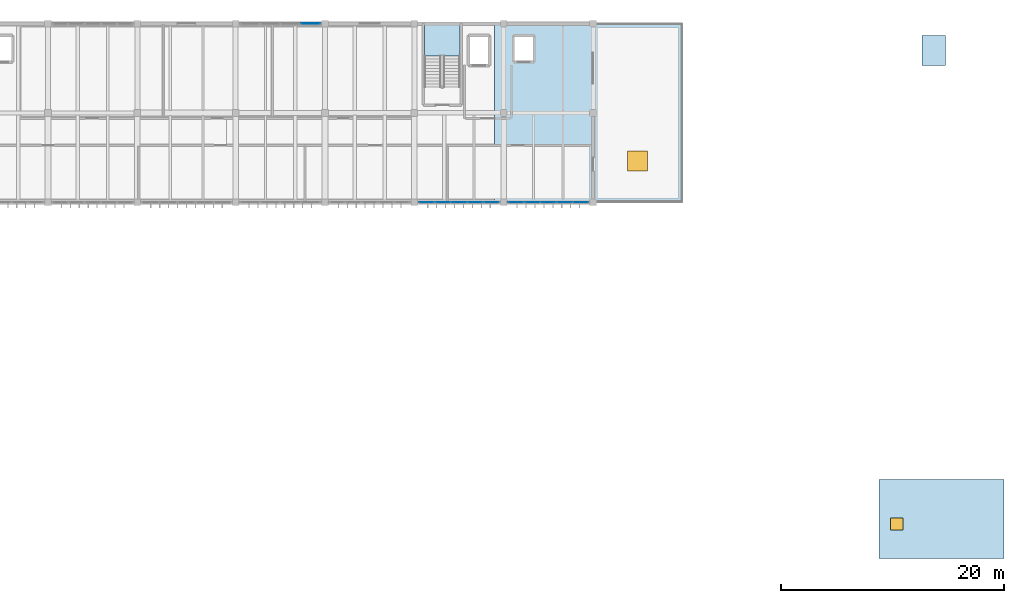
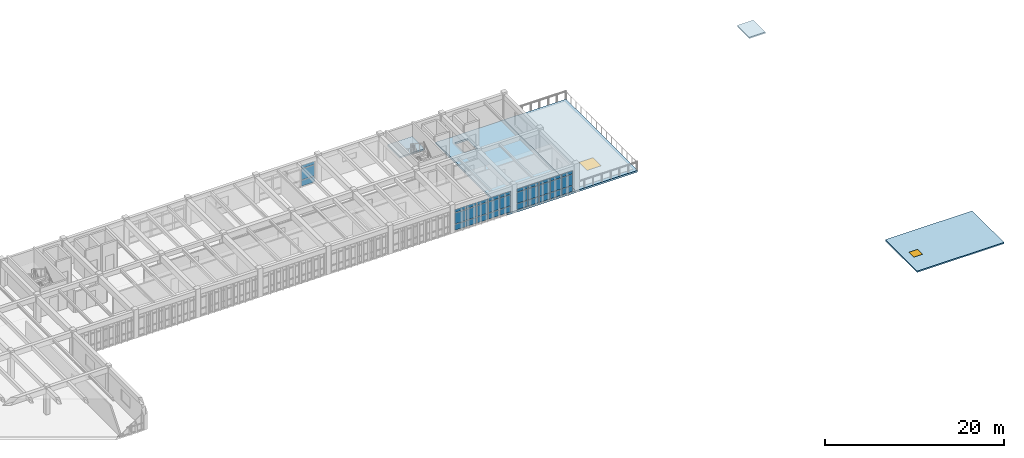
"""IFC4 building model written with IfcOpenShell, lengths in metres."""

from ifc_helpers import new_model, si_unit, direction, frame, origin, origin_2d, place, context, subcontext, project, spatial, polyline, rectangle, outline, extrude, material, layer, layer_set, type_object, element, fill, aggregate, save


model = new_model("IFC4")

# Units and contexts
model_context = context("Model", 3, precision=1e-05, world=origin(), true_north=direction((0.0, 1.0)))
body_context = subcontext(model_context, "Body", "Model", "MODEL_VIEW")
ifc_project = project(units=[si_unit("LENGTHUNIT", "METRE"), si_unit("AREAUNIT", "SQUARE_METRE"), si_unit("VOLUMEUNIT", "CUBIC_METRE"), si_unit("PLANEANGLEUNIT", "RADIAN"), si_unit("MASSUNIT", "GRAM", prefix="KILO")], contexts=[model_context])

# Site, building, storey
site_placement = place(None, origin())
site = spatial("IfcSite", under=ifc_project, at=site_placement, CompositionType="ELEMENT")
building_placement = place(site_placement, origin())
building = spatial("IfcBuilding", under=site, at=building_placement, Name="Tlaxcora Railside Police Headquarters", CompositionType="ELEMENT")
storey_1_placement = place(building_placement, frame((0.0, 0.0, 21.89990234375)))
storey_1 = spatial("IfcBuildingStorey", under=building, at=storey_1_placement, Name="L05", CompositionType="ELEMENT", Elevation=21.89990234375)

# Curtain wall, plates
ifc_material_1 = material(Name="Thermally broken low-E insulated glazing", Category="glass")
curtain_wall_type_1 = type_object("IfcCurtainWallType", Name="Unitised Curtain Wall Assembly CW-15", PredefinedType="NOTDEFINED", material=ifc_material_1)
curtain_wall_1_placement = place(storey_1_placement, origin())
curtain_wall_1 = element("IfcCurtainWall", 1, at=curtain_wall_1_placement, inside=storey_1, type_object=curtain_wall_type_1, Name="V5 L05 curtain wall 114", PredefinedType="NOTDEFINED")
ifc_layer_1 = layer(ifc_material_1, 0.031982421875, Name="Thermally broken low-E insulated glazing")
ifc_layer_set_1 = layer_set([ifc_layer_1], Name="Thermally broken low-E insulated glazing")
plate_type_1 = type_object("IfcPlateType", Name="Curtain Wall Infill Panel CW-41", PredefinedType="CURTAIN_PANEL", material=ifc_layer_set_1)
plate_1_placement = place(storey_1_placement, frame((79.0986328125, 76.800048828125, 0.074951171875), z_axis=(0.0, 0.0, 1.0), x_axis=(1.0, 0.0, 0.0)))
plate_1 = element("IfcPlate", 2, at=plate_1_placement, type_object=plate_type_1, Name="CW panel 1.1", PredefinedType="CURTAIN_PANEL", context=body_context, shape_type="SweptSolid", body=[
    extrude(rectangle(XDim=1.347412109375, YDim=0.031982421875, at=origin_2d()), origin(), (0.0, 0.0, 1.0), 0.78759765625),
])
plate_2_placement = place(storey_1_placement, frame((79.0986328125, 76.800048828125, 0.9375), z_axis=(0.0, 0.0, 1.0), x_axis=(1.0, 0.0, 0.0)))
plate_2 = element("IfcPlate", 3, at=plate_2_placement, type_object=plate_type_1, Name="CW panel 1.2", PredefinedType="CURTAIN_PANEL", context=body_context, shape_type="SweptSolid", body=[
    extrude(rectangle(XDim=1.347412109375, YDim=0.031982421875, at=origin_2d()), origin(), (0.0, 0.0, 1.0), 1.47509765625),
])
plate_3_placement = place(storey_1_placement, frame((79.0986328125, 76.800048828125, 2.487548828125), z_axis=(0.0, 0.0, 1.0), x_axis=(1.0, 0.0, 0.0)))
plate_3 = element("IfcPlate", 4, at=plate_3_placement, type_object=plate_type_1, Name="CW panel 1.3", PredefinedType="CURTAIN_PANEL", context=body_context, shape_type="SweptSolid", body=[
    extrude(rectangle(XDim=1.347412109375, YDim=0.031982421875, at=origin_2d()), origin(), (0.0, 0.0, 1.0), 0.41748046875),
])
plate_4_placement = place(storey_1_placement, frame((80.5400390625, 76.800048828125, 0.074951171875), z_axis=(0.0, 0.0, 1.0), x_axis=(1.0, 0.0, 0.0)))
plate_4 = element("IfcPlate", 5, at=plate_4_placement, type_object=plate_type_1, Name="CW panel 2.1", PredefinedType="CURTAIN_PANEL", context=body_context, shape_type="SweptSolid", body=[
    extrude(rectangle(XDim=1.385009765625, YDim=0.031982421875, at=origin_2d()), origin(), (0.0, 0.0, 1.0), 0.78759765625),
])
plate_5_placement = place(storey_1_placement, frame((80.5400390625, 76.800048828125, 0.9375), z_axis=(0.0, 0.0, 1.0), x_axis=(1.0, 0.0, 0.0)))
plate_5 = element("IfcPlate", 6, at=plate_5_placement, type_object=plate_type_1, Name="CW panel 2.2", PredefinedType="CURTAIN_PANEL", context=body_context, shape_type="SweptSolid", body=[
    extrude(rectangle(XDim=1.385009765625, YDim=0.031982421875, at=origin_2d()), origin(), (0.0, 0.0, 1.0), 1.47509765625),
])
plate_6_placement = place(storey_1_placement, frame((80.5400390625, 76.800048828125, 2.487548828125), z_axis=(0.0, 0.0, 1.0), x_axis=(1.0, 0.0, 0.0)))
plate_6 = element("IfcPlate", 7, at=plate_6_placement, type_object=plate_type_1, Name="CW panel 2.3", PredefinedType="CURTAIN_PANEL", context=body_context, shape_type="SweptSolid", body=[
    extrude(rectangle(XDim=1.385009765625, YDim=0.031982421875, at=origin_2d()), origin(), (0.0, 0.0, 1.0), 0.41748046875),
])
plate_7_placement = place(storey_1_placement, frame((82.0, 76.800048828125, 0.074951171875), z_axis=(0.0, 0.0, 1.0), x_axis=(1.0, 0.0, 0.0)))
plate_7 = element("IfcPlate", 8, at=plate_7_placement, type_object=plate_type_1, Name="CW panel 3.1", PredefinedType="CURTAIN_PANEL", context=body_context, shape_type="SweptSolid", body=[
    extrude(rectangle(XDim=1.385009765625, YDim=0.031982421875, at=origin_2d()), origin(), (0.0, 0.0, 1.0), 0.78759765625),
])
plate_8_placement = place(storey_1_placement, frame((82.0, 76.800048828125, 0.9375), z_axis=(0.0, 0.0, 1.0), x_axis=(1.0, 0.0, 0.0)))
plate_8 = element("IfcPlate", 9, at=plate_8_placement, type_object=plate_type_1, Name="CW panel 3.2", PredefinedType="CURTAIN_PANEL", context=body_context, shape_type="SweptSolid", body=[
    extrude(rectangle(XDim=1.385009765625, YDim=0.031982421875, at=origin_2d()), origin(), (0.0, 0.0, 1.0), 1.47509765625),
])
plate_9_placement = place(storey_1_placement, frame((82.0, 76.800048828125, 2.487548828125), z_axis=(0.0, 0.0, 1.0), x_axis=(1.0, 0.0, 0.0)))
plate_9 = element("IfcPlate", 10, at=plate_9_placement, type_object=plate_type_1, Name="CW panel 3.3", PredefinedType="CURTAIN_PANEL", context=body_context, shape_type="SweptSolid", body=[
    extrude(rectangle(XDim=1.385009765625, YDim=0.031982421875, at=origin_2d()), origin(), (0.0, 0.0, 1.0), 0.41748046875),
])
plate_10_placement = place(storey_1_placement, frame((83.4599609375, 76.800048828125, 0.074951171875), z_axis=(0.0, 0.0, 1.0), x_axis=(1.0, 0.0, 0.0)))
plate_10 = element("IfcPlate", 11, at=plate_10_placement, type_object=plate_type_1, Name="CW panel 4.1", PredefinedType="CURTAIN_PANEL", context=body_context, shape_type="SweptSolid", body=[
    extrude(rectangle(XDim=1.385009765625, YDim=0.031982421875, at=origin_2d()), origin(), (0.0, 0.0, 1.0), 0.78759765625),
])
plate_11_placement = place(storey_1_placement, frame((83.4599609375, 76.800048828125, 0.9375), z_axis=(0.0, 0.0, 1.0), x_axis=(1.0, 0.0, 0.0)))
plate_11 = element("IfcPlate", 12, at=plate_11_placement, type_object=plate_type_1, Name="CW panel 4.2", PredefinedType="CURTAIN_PANEL", context=body_context, shape_type="SweptSolid", body=[
    extrude(rectangle(XDim=1.385009765625, YDim=0.031982421875, at=origin_2d()), origin(), (0.0, 0.0, 1.0), 1.47509765625),
])
plate_12_placement = place(storey_1_placement, frame((83.4599609375, 76.800048828125, 2.487548828125), z_axis=(0.0, 0.0, 1.0), x_axis=(1.0, 0.0, 0.0)))
plate_12 = element("IfcPlate", 13, at=plate_12_placement, type_object=plate_type_1, Name="CW panel 4.3", PredefinedType="CURTAIN_PANEL", context=body_context, shape_type="SweptSolid", body=[
    extrude(rectangle(XDim=1.385009765625, YDim=0.031982421875, at=origin_2d()), origin(), (0.0, 0.0, 1.0), 0.41748046875),
])
plate_13_placement = place(storey_1_placement, frame((84.9013671875, 76.800048828125, 0.074951171875), z_axis=(0.0, 0.0, 1.0), x_axis=(1.0, 0.0, 0.0)))
plate_13 = element("IfcPlate", 14, at=plate_13_placement, type_object=plate_type_1, Name="CW panel 5.1", PredefinedType="CURTAIN_PANEL", context=body_context, shape_type="SweptSolid", body=[
    extrude(rectangle(XDim=1.347412109375, YDim=0.031982421875, at=origin_2d()), origin(), (0.0, 0.0, 1.0), 0.78759765625),
])
plate_14_placement = place(storey_1_placement, frame((84.9013671875, 76.800048828125, 0.9375), z_axis=(0.0, 0.0, 1.0), x_axis=(1.0, 0.0, 0.0)))
plate_14 = element("IfcPlate", 15, at=plate_14_placement, type_object=plate_type_1, Name="CW panel 5.2", PredefinedType="CURTAIN_PANEL", context=body_context, shape_type="SweptSolid", body=[
    extrude(rectangle(XDim=1.347412109375, YDim=0.031982421875, at=origin_2d()), origin(), (0.0, 0.0, 1.0), 1.47509765625),
])
plate_15_placement = place(storey_1_placement, frame((84.9013671875, 76.800048828125, 2.487548828125), z_axis=(0.0, 0.0, 1.0), x_axis=(1.0, 0.0, 0.0)))
plate_15 = element("IfcPlate", 16, at=plate_15_placement, type_object=plate_type_1, Name="CW panel 5.3", PredefinedType="CURTAIN_PANEL", context=body_context, shape_type="SweptSolid", body=[
    extrude(rectangle(XDim=1.347412109375, YDim=0.031982421875, at=origin_2d()), origin(), (0.0, 0.0, 1.0), 0.41748046875),
])
aggregate(curtain_wall_1, [plate_1, plate_2, plate_3, plate_4, plate_5, plate_6, plate_7, plate_8, plate_9, plate_10, plate_11, plate_12, plate_13, plate_14, plate_15])

curtain_wall_type_2 = type_object("IfcCurtainWallType", Name="Unitised Curtain Wall Assembly CW-83", PredefinedType="NOTDEFINED", material=ifc_material_1)
curtain_wall_2_placement = place(storey_1_placement, origin())
curtain_wall_2 = element("IfcCurtainWall", 17, at=curtain_wall_2_placement, inside=storey_1, type_object=curtain_wall_type_2, Name="V5 L05 curtain wall 115", PredefinedType="NOTDEFINED")
ifc_layer_2 = layer(ifc_material_1, 0.035888671875, Name="Thermally broken low-E insulated glazing")
ifc_layer_set_2 = layer_set([ifc_layer_2], Name="Thermally broken low-E insulated glazing")
plate_type_2 = type_object("IfcPlateType", Name="Curtain Wall Infill Panel CW-72", PredefinedType="CURTAIN_PANEL", material=ifc_layer_set_2)
plate_16_placement = place(storey_1_placement, frame((60.717529296875, 92.800048828125, 0.080078125), z_axis=(0.0, 0.0, 1.0), x_axis=(-1.0, 0.0, 0.0)))
plate_16 = element("IfcPlate", 18, at=plate_16_placement, type_object=plate_type_2, Name="CW panel 1.1", PredefinedType="CURTAIN_PANEL", context=body_context, shape_type="SweptSolid", body=[
    extrude(rectangle(XDim=1.705078125, YDim=0.035888671875, at=origin_2d()), origin(), (0.0, 0.0, 1.0), 0.780029296875),
])
plate_17_placement = place(storey_1_placement, frame((60.717529296875, 92.800048828125, 0.93994140625), z_axis=(0.0, 0.0, 1.0), x_axis=(-1.0, 0.0, 0.0)))
plate_17 = element("IfcPlate", 19, at=plate_17_placement, type_object=plate_type_2, Name="CW panel 1.2", PredefinedType="CURTAIN_PANEL", context=body_context, shape_type="SweptSolid", body=[
    extrude(rectangle(XDim=1.705078125, YDim=0.035888671875, at=origin_2d()), origin(), (0.0, 0.0, 1.0), 1.469970703125),
])
plate_18_placement = place(storey_1_placement, frame((60.717529296875, 92.800048828125, 2.490234375), z_axis=(0.0, 0.0, 1.0), x_axis=(-1.0, 0.0, 0.0)))
plate_18 = element("IfcPlate", 20, at=plate_18_placement, type_object=plate_type_2, Name="CW panel 1.3", PredefinedType="CURTAIN_PANEL", context=body_context, shape_type="SweptSolid", body=[
    extrude(rectangle(XDim=1.705078125, YDim=0.035888671875, at=origin_2d()), origin(), (0.0, 0.0, 1.0), 0.409912109375),
])
aggregate(curtain_wall_2, [plate_16, plate_17, plate_18])

curtain_wall_type_3 = type_object("IfcCurtainWallType", Name="Unitised Curtain Wall Assembly CW-38", PredefinedType="NOTDEFINED", material=ifc_material_1)
curtain_wall_3_placement = place(storey_1_placement, origin())
curtain_wall_3 = element("IfcCurtainWall", 21, at=curtain_wall_3_placement, inside=storey_1, type_object=curtain_wall_type_3, Name="V5 L05 curtain wall 113", PredefinedType="NOTDEFINED")
ifc_layer_3 = layer(ifc_material_1, 0.028076171875, Name="Thermally broken low-E insulated glazing")
ifc_layer_set_3 = layer_set([ifc_layer_3], Name="Thermally broken low-E insulated glazing")
plate_type_3 = type_object("IfcPlateType", Name="Curtain Wall Infill Panel CW-92", PredefinedType="CURTAIN_PANEL", material=ifc_layer_set_3)
plate_19_placement = place(storey_1_placement, frame((71.0986328125, 76.800048828125, 0.074951171875), z_axis=(0.0, 0.0, 1.0), x_axis=(1.0, 0.0, 0.0)))
plate_19 = element("IfcPlate", 22, at=plate_19_placement, type_object=plate_type_3, Name="CW panel 1.1", PredefinedType="CURTAIN_PANEL", context=body_context, shape_type="SweptSolid", body=[
    extrude(rectangle(XDim=1.347412109375, YDim=0.028076171875, at=origin_2d()), origin(), (0.0, 0.0, 1.0), 0.78759765625),
])
plate_20_placement = place(storey_1_placement, frame((71.0986328125, 76.800048828125, 0.9375), z_axis=(0.0, 0.0, 1.0), x_axis=(1.0, 0.0, 0.0)))
plate_20 = element("IfcPlate", 23, at=plate_20_placement, type_object=plate_type_3, Name="CW panel 1.2", PredefinedType="CURTAIN_PANEL", context=body_context, shape_type="SweptSolid", body=[
    extrude(rectangle(XDim=1.347412109375, YDim=0.028076171875, at=origin_2d()), origin(), (0.0, 0.0, 1.0), 1.47509765625),
])
plate_21_placement = place(storey_1_placement, frame((71.0986328125, 76.800048828125, 2.487548828125), z_axis=(0.0, 0.0, 1.0), x_axis=(1.0, 0.0, 0.0)))
plate_21 = element("IfcPlate", 24, at=plate_21_placement, type_object=plate_type_3, Name="CW panel 1.3", PredefinedType="CURTAIN_PANEL", context=body_context, shape_type="SweptSolid", body=[
    extrude(rectangle(XDim=1.347412109375, YDim=0.028076171875, at=origin_2d()), origin(), (0.0, 0.0, 1.0), 0.41748046875),
])
plate_22_placement = place(storey_1_placement, frame((72.5400390625, 76.800048828125, 0.074951171875), z_axis=(0.0, 0.0, 1.0), x_axis=(1.0, 0.0, 0.0)))
plate_22 = element("IfcPlate", 25, at=plate_22_placement, type_object=plate_type_3, Name="CW panel 2.1", PredefinedType="CURTAIN_PANEL", context=body_context, shape_type="SweptSolid", body=[
    extrude(rectangle(XDim=1.385009765625, YDim=0.028076171875, at=origin_2d()), origin(), (0.0, 0.0, 1.0), 0.78759765625),
])
plate_23_placement = place(storey_1_placement, frame((72.5400390625, 76.800048828125, 0.9375), z_axis=(0.0, 0.0, 1.0), x_axis=(1.0, 0.0, 0.0)))
plate_23 = element("IfcPlate", 26, at=plate_23_placement, type_object=plate_type_3, Name="CW panel 2.2", PredefinedType="CURTAIN_PANEL", context=body_context, shape_type="SweptSolid", body=[
    extrude(rectangle(XDim=1.385009765625, YDim=0.028076171875, at=origin_2d()), origin(), (0.0, 0.0, 1.0), 1.47509765625),
])
plate_24_placement = place(storey_1_placement, frame((72.5400390625, 76.800048828125, 2.487548828125), z_axis=(0.0, 0.0, 1.0), x_axis=(1.0, 0.0, 0.0)))
plate_24 = element("IfcPlate", 27, at=plate_24_placement, type_object=plate_type_3, Name="CW panel 2.3", PredefinedType="CURTAIN_PANEL", context=body_context, shape_type="SweptSolid", body=[
    extrude(rectangle(XDim=1.385009765625, YDim=0.028076171875, at=origin_2d()), origin(), (0.0, 0.0, 1.0), 0.41748046875),
])
plate_25_placement = place(storey_1_placement, frame((74.0, 76.800048828125, 0.074951171875), z_axis=(0.0, 0.0, 1.0), x_axis=(1.0, 0.0, 0.0)))
plate_25 = element("IfcPlate", 28, at=plate_25_placement, type_object=plate_type_3, Name="CW panel 3.1", PredefinedType="CURTAIN_PANEL", context=body_context, shape_type="SweptSolid", body=[
    extrude(rectangle(XDim=1.385009765625, YDim=0.028076171875, at=origin_2d()), origin(), (0.0, 0.0, 1.0), 0.78759765625),
])
plate_26_placement = place(storey_1_placement, frame((74.0, 76.800048828125, 0.9375), z_axis=(0.0, 0.0, 1.0), x_axis=(1.0, 0.0, 0.0)))
plate_26 = element("IfcPlate", 29, at=plate_26_placement, type_object=plate_type_3, Name="CW panel 3.2", PredefinedType="CURTAIN_PANEL", context=body_context, shape_type="SweptSolid", body=[
    extrude(rectangle(XDim=1.385009765625, YDim=0.028076171875, at=origin_2d()), origin(), (0.0, 0.0, 1.0), 1.47509765625),
])
plate_27_placement = place(storey_1_placement, frame((74.0, 76.800048828125, 2.487548828125), z_axis=(0.0, 0.0, 1.0), x_axis=(1.0, 0.0, 0.0)))
plate_27 = element("IfcPlate", 30, at=plate_27_placement, type_object=plate_type_3, Name="CW panel 3.3", PredefinedType="CURTAIN_PANEL", context=body_context, shape_type="SweptSolid", body=[
    extrude(rectangle(XDim=1.385009765625, YDim=0.028076171875, at=origin_2d()), origin(), (0.0, 0.0, 1.0), 0.41748046875),
])
plate_28_placement = place(storey_1_placement, frame((75.4599609375, 76.800048828125, 0.074951171875), z_axis=(0.0, 0.0, 1.0), x_axis=(1.0, 0.0, 0.0)))
plate_28 = element("IfcPlate", 31, at=plate_28_placement, type_object=plate_type_3, Name="CW panel 4.1", PredefinedType="CURTAIN_PANEL", context=body_context, shape_type="SweptSolid", body=[
    extrude(rectangle(XDim=1.385009765625, YDim=0.028076171875, at=origin_2d()), origin(), (0.0, 0.0, 1.0), 0.78759765625),
])
plate_29_placement = place(storey_1_placement, frame((75.4599609375, 76.800048828125, 0.9375), z_axis=(0.0, 0.0, 1.0), x_axis=(1.0, 0.0, 0.0)))
plate_29 = element("IfcPlate", 32, at=plate_29_placement, type_object=plate_type_3, Name="CW panel 4.2", PredefinedType="CURTAIN_PANEL", context=body_context, shape_type="SweptSolid", body=[
    extrude(rectangle(XDim=1.385009765625, YDim=0.028076171875, at=origin_2d()), origin(), (0.0, 0.0, 1.0), 1.47509765625),
])
plate_30_placement = place(storey_1_placement, frame((75.4599609375, 76.800048828125, 2.487548828125), z_axis=(0.0, 0.0, 1.0), x_axis=(1.0, 0.0, 0.0)))
plate_30 = element("IfcPlate", 33, at=plate_30_placement, type_object=plate_type_3, Name="CW panel 4.3", PredefinedType="CURTAIN_PANEL", context=body_context, shape_type="SweptSolid", body=[
    extrude(rectangle(XDim=1.385009765625, YDim=0.028076171875, at=origin_2d()), origin(), (0.0, 0.0, 1.0), 0.41748046875),
])
plate_31_placement = place(storey_1_placement, frame((76.9013671875, 76.800048828125, 0.074951171875), z_axis=(0.0, 0.0, 1.0), x_axis=(1.0, 0.0, 0.0)))
plate_31 = element("IfcPlate", 34, at=plate_31_placement, type_object=plate_type_3, Name="CW panel 5.1", PredefinedType="CURTAIN_PANEL", context=body_context, shape_type="SweptSolid", body=[
    extrude(rectangle(XDim=1.347412109375, YDim=0.028076171875, at=origin_2d()), origin(), (0.0, 0.0, 1.0), 0.78759765625),
])
plate_32_placement = place(storey_1_placement, frame((76.9013671875, 76.800048828125, 0.9375), z_axis=(0.0, 0.0, 1.0), x_axis=(1.0, 0.0, 0.0)))
plate_32 = element("IfcPlate", 35, at=plate_32_placement, type_object=plate_type_3, Name="CW panel 5.2", PredefinedType="CURTAIN_PANEL", context=body_context, shape_type="SweptSolid", body=[
    extrude(rectangle(XDim=1.347412109375, YDim=0.028076171875, at=origin_2d()), origin(), (0.0, 0.0, 1.0), 1.47509765625),
])
plate_33_placement = place(storey_1_placement, frame((76.9013671875, 76.800048828125, 2.487548828125), z_axis=(0.0, 0.0, 1.0), x_axis=(1.0, 0.0, 0.0)))
plate_33 = element("IfcPlate", 36, at=plate_33_placement, type_object=plate_type_3, Name="CW panel 5.3", PredefinedType="CURTAIN_PANEL", context=body_context, shape_type="SweptSolid", body=[
    extrude(rectangle(XDim=1.347412109375, YDim=0.028076171875, at=origin_2d()), origin(), (0.0, 0.0, 1.0), 0.41748046875),
])
aggregate(curtain_wall_3, [plate_19, plate_20, plate_21, plate_22, plate_23, plate_24, plate_25, plate_26, plate_27, plate_28, plate_29, plate_30, plate_31, plate_32, plate_33])

# Slab, opening
ifc_material_2 = material(Name="Concrete C40/50", Category="concrete")
ifc_layer_4 = layer(ifc_material_2, 0.179931640625, Name="Concrete C40/50")
ifc_layer_set_4 = layer_set([ifc_layer_4], Name="Concrete C40/50")
slab_type_1 = type_object("IfcSlabType", Name="Folded or Flat Roof Slab SL-50", PredefinedType="ROOF", material=ifc_layer_set_4)
slab_1_placement = place(storey_1_placement, frame((0.0, 0.0, -0.75)))
slab_1 = element("IfcSlab", 37, at=slab_1_placement, inside=storey_1, type_object=slab_type_1, Name="HH-C7-L04 roof slab", PredefinedType="ROOF", context=body_context, shape_type="SweptSolid", body=[
    extrude(outline(polyline([(111.60009765625, 44.89990234375), (122.800048828125, 44.89990234375), (122.800048828125, 52.0), (111.60009765625, 52.0), (111.60009765625, 44.89990234375)]), holes=[polyline([(112.75, 47.550048828125), (112.75, 48.449951171875), (113.64990234375, 48.449951171875), (113.64990234375, 47.550048828125), (112.75, 47.550048828125)])]), origin(), (0.0, 0.0, 1.0), 0.18017578125),
])
opening_1_placement = place(slab_1_placement, frame((113.199951171875, 48.0, -0.010009765625)))
opening_1 = element("IfcOpeningElement", 38, at=opening_1_placement, cuts=slab_1, Name="Opening RH-02", PredefinedType="OPENING", context=body_context, shape_type="SweptSolid", body=[
    extrude(rectangle(XDim=1.10009765625, YDim=1.10009765625, at=origin_2d()), origin(), (0.0, 0.0, 1.0), 0.2001953125),
])

# Storey
storey_2_placement = place(building_placement, frame((0.0, 0.0, 18.0)))
storey_2 = spatial("IfcBuildingStorey", under=building, at=storey_2_placement, Name="L04", CompositionType="ELEMENT", Elevation=18.0)

# Door
ifc_material_3 = material(Name="Steel ASTM A992 Grade 50", Category="steel")
door_type = type_object("IfcDoorType", Name="Roof Access Hatch Door ED-17", OperationType="NOTDEFINED", PredefinedType="TRAPDOOR", material=ifc_material_3)
door_placement = place(opening_1_placement, frame((0.0, 0.0, 0.14013671875)))
door = element("IfcDoor", 39, at=door_placement, inside=storey_2, type_object=door_type, Name="Roof access hatch RH-02", OperationType="SINGLE_SWING_LEFT", OverallHeight=1.10009765625, OverallWidth=1.10009765625, PredefinedType="TRAPDOOR", context=body_context, shape_type="SweptSolid", body=[
    extrude(rectangle(XDim=1.10009765625, YDim=1.10009765625, at=origin_2d()), origin(), (0.0, 0.0, 1.0), 0.050048828125),
])

fill(opening_1, door)

# Slab
slab_2_placement = place(storey_1_placement, frame((0.0, 0.0, 3.0)))
element("IfcSlab", 40, at=slab_2_placement, inside=storey_1, type_object=slab_type_1, Name="Lift GL-01 shaft overrun cap slab", PredefinedType="ROOF", context=body_context, shape_type="SweptSolid", body=[
    extrude(outline(polyline([(115.4599609375, 89.06005859375), (117.5400390625, 89.06005859375), (117.5400390625, 91.739990234375), (115.4599609375, 91.739990234375), (115.4599609375, 89.06005859375)])), origin(), (0.0, 0.0, 1.0), 0.18017578125),
])

# Stair, slab
stair_type = type_object("IfcStairType", Name="Half-Turn Dog-Leg Stair ST-30", PredefinedType="HALF_TURN_STAIR", material=ifc_material_2)
stair_placement = place(storey_1_placement, origin())
stair = element("IfcStair", 41, at=stair_placement, inside=storey_1, type_object=stair_type, Name="L05 ST2", PredefinedType="HALF_TURN_STAIR")
ifc_material_4 = material(Name="Concrete C35/45", Category="concrete")
ifc_layer_5 = layer(ifc_material_4, 0.199951171875, Name="Concrete C35/45")
ifc_layer_set_5 = layer_set([ifc_layer_5], Name="Concrete C35/45")
slab_type_2 = type_object("IfcSlabType", Name="Stair Landing Slab SL-23", PredefinedType="LANDING", material=ifc_layer_set_5)
slab_3_placement = place(storey_1_placement, frame((0.0, 0.0, 1.75)))
slab_3 = element("IfcSlab", 42, at=slab_3_placement, type_object=slab_type_2, Name="ST2 landing 1", PredefinedType="LANDING", context=body_context, shape_type="SweptSolid", body=[
    extrude(outline(polyline([(74.110107421875, 89.909912109375), (74.110107421875, 92.68994140625), (70.909912109375, 92.68994140625), (70.909912109375, 89.909912109375), (74.110107421875, 89.909912109375)])), origin(), (0.0, 0.0, 1.0), 0.2001953125),
])
aggregate(stair, [slab_3])

# Slab, opening, window
ifc_layer_6 = layer(ifc_material_2, 0.2451171875, Name="Concrete C40/50")
ifc_layer_set_6 = layer_set([ifc_layer_6], Name="Concrete C40/50")
slab_type_3 = type_object("IfcSlabType", Name="Suspended Floor Slab SL-67", PredefinedType="FLOOR", material=ifc_layer_set_6)
slab_4_placement = place(storey_1_placement, frame((0.0, 0.0, -0.244873046875)))
slab_4 = element("IfcSlab", 43, at=slab_4_placement, inside=storey_1, type_object=slab_type_3, Name="V5 L05 planted terrace slab", PredefinedType="FLOOR", context=body_context, shape_type="SweptSolid", body=[
    extrude(outline(polyline([(94.0, 76.800048828125), (94.0, 92.800048828125), (86.0, 92.800048828125), (86.0, 76.800048828125), (94.0, 76.800048828125)])), origin(), (0.0, 0.0, 1.0), 0.244873046875),
])
opening_2_placement = place(slab_4_placement, frame((90.0, 80.5, -0.010009765625)))
opening_2 = element("IfcOpeningElement", 44, at=opening_2_placement, cuts=slab_4, Name="Opening WN-48", PredefinedType="OPENING", context=body_context, shape_type="SweptSolid", body=[
    extrude(rectangle(XDim=1.800048828125, YDim=1.800048828125, at=origin_2d()), origin(), (0.0, 0.0, 1.0), 0.264892578125),
])
window_type = type_object("IfcWindowType", Name="Roof Skylight WN-48", PartitioningType="SINGLE_PANEL", PredefinedType="SKYLIGHT", material=ifc_material_1)
window_placement = place(opening_2_placement, frame((0.0, 0.0, 0.204833984375)))
window = element("IfcWindow", 45, at=window_placement, inside=storey_1, type_object=window_type, Name="Roof skylight 08", OverallHeight=1.800048828125, OverallWidth=1.800048828125, PartitioningType="SINGLE_PANEL", PredefinedType="SKYLIGHT", context=body_context, shape_type="SweptSolid", body=[
    extrude(rectangle(XDim=1.800048828125, YDim=1.800048828125, at=origin_2d()), origin(), (0.0, 0.0, 1.0), 0.050048828125),
])
fill(opening_2, window)

# Slab
ifc_layer_7 = layer(ifc_material_4, 0.260009765625, Name="Concrete C35/45")
ifc_layer_set_7 = layer_set([ifc_layer_7], Name="Concrete C35/45")
slab_type_4 = type_object("IfcSlabType", Name="Suspended Floor Slab SL-78", PredefinedType="FLOOR", material=ifc_layer_set_7)
slab_5_placement = place(storey_1_placement, frame((0.0, 0.0, -0.260009765625)))
element("IfcSlab", 46, at=slab_5_placement, inside=storey_1, type_object=slab_type_4, Name="V5 L05 floor slab zone 4", PredefinedType="FLOOR", context=body_context, shape_type="SweptSolid", body=[
    extrude(outline(polyline([(86.0, 92.800048828125), (77.199951171875, 92.800048828125), (77.199951171875, 76.800048828125), (86.0, 76.800048828125), (86.0, 92.800048828125)]), holes=[polyline([(80.64990234375, 89.449951171875), (78.949951171875, 89.449951171875), (78.949951171875, 91.64990234375), (80.64990234375, 91.64990234375), (80.64990234375, 89.449951171875)])]), origin(), (0.0, 0.0, 1.0), 0.260009765625),
])

save(model, "model.ifc")
